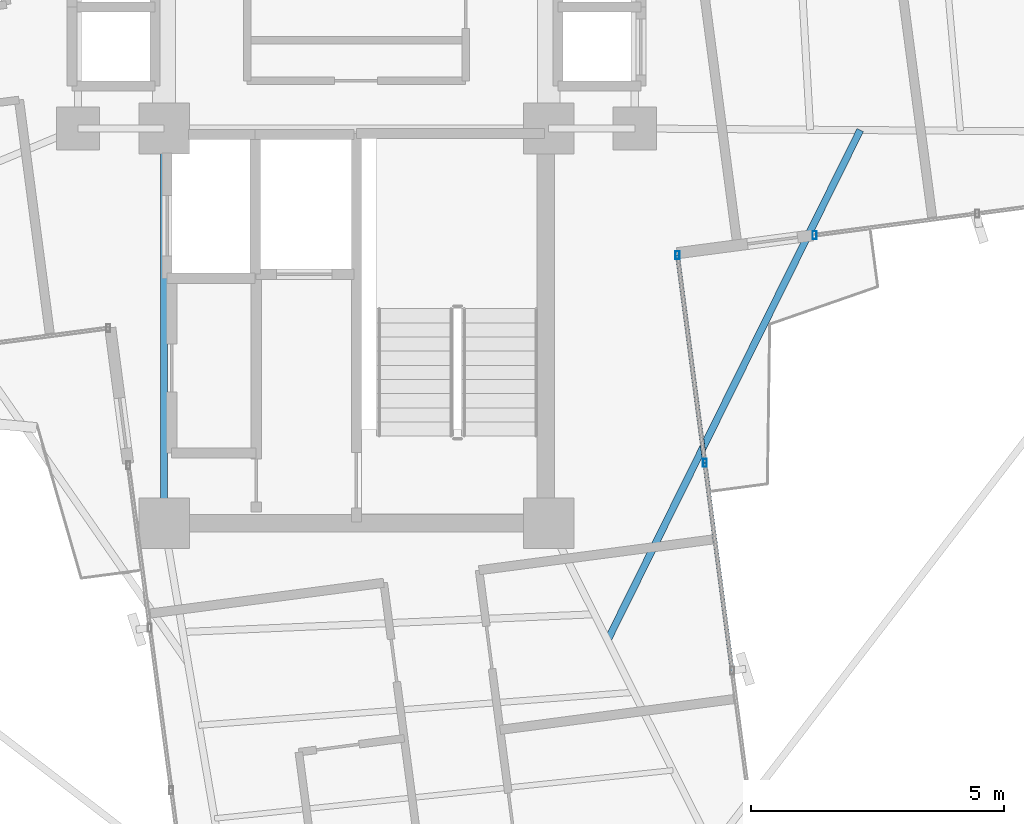
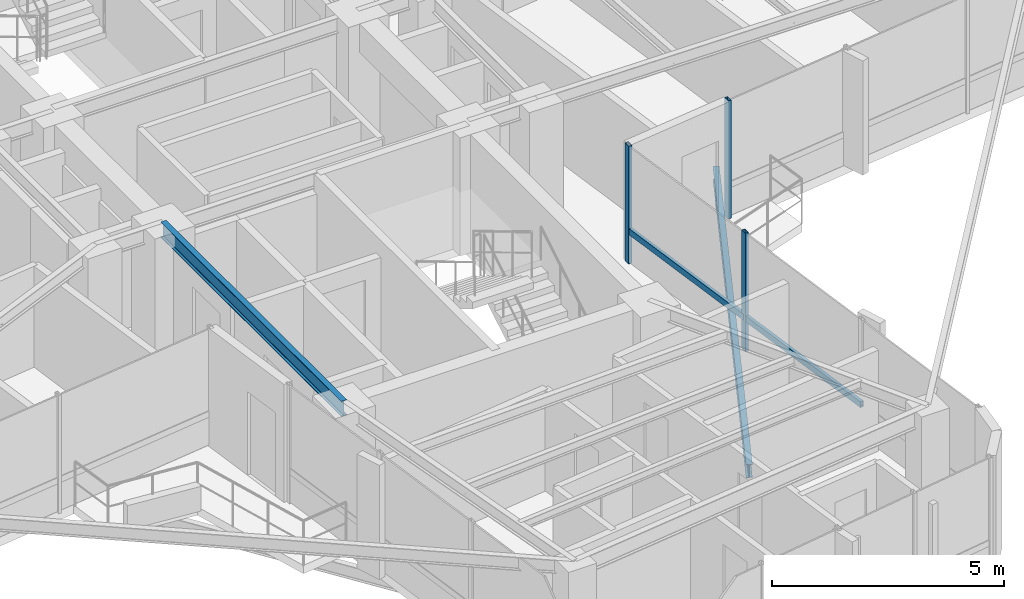
# One storey, part 5 of 21: 5 members, 2 beams, 2 elements without a shape of their own.
"""IFC4 building model written with IfcOpenShell, lengths in metres."""

from ifc_helpers import new_model, si_unit, direction, frame, origin, origin_2d, place, context, subcontext, project, spatial, hollow_rectangle, i_section, extrude, source, transform, mapped, material, material_profile, profile_set, type_object, element, aggregate, save


model = new_model("IFC4")

# Units and contexts
model_context = context("Model", 3, precision=1e-05, world=origin(), true_north=direction((0.0, 1.0)))
body_context = subcontext(model_context, "Body", "Model", "MODEL_VIEW")
ifc_project = project(units=[si_unit("LENGTHUNIT", "METRE"), si_unit("AREAUNIT", "SQUARE_METRE"), si_unit("VOLUMEUNIT", "CUBIC_METRE"), si_unit("PLANEANGLEUNIT", "RADIAN"), si_unit("MASSUNIT", "GRAM", prefix="KILO")], contexts=[model_context])

# Site, building, storey
site_placement = place(None, origin())
site = spatial("IfcSite", under=ifc_project, at=site_placement, CompositionType="ELEMENT")
building_placement = place(site_placement, origin())
building = spatial("IfcBuilding", under=site, at=building_placement, Name="Sahyath Konkavel Grand Hotel", CompositionType="ELEMENT")
storey_placement = place(building_placement, frame((0.0, 0.0, 216.550048828125)))
storey = spatial("IfcBuildingStorey", under=building, at=storey_placement, Name="L60", CompositionType="ELEMENT", Elevation=216.550048828125)

# Beam
ifc_material_1 = material(Name="Steel E350", Category="steel")
ifc_material_profile_1 = material_profile(ifc_material_1, i_section(OverallWidth=0.139892578125, OverallDepth=0.39990234375, WebThickness=0.0087890625, FlangeThickness=0.01611328125, FilletRadius=0.013916015625, at=origin_2d()), Name="ISMB 400")
ifc_profile_set_1 = profile_set([ifc_material_profile_1], Name="Steel E350")
beam_type_1 = type_object("IfcBeamType", Name="BM-ISMB400", PredefinedType="BEAM", material=ifc_profile_set_1)
shared_shape_1 = source(origin(), body_context, "Body", "SweptSolid", [
    extrude(i_section(OverallWidth=0.139892578125, OverallDepth=0.39990234375, WebThickness=0.0087890625, FlangeThickness=0.01611328125, FilletRadius=0.013916015625, at=origin_2d()), origin(), (0.0, 0.0, 1.0), 7.800048828125),
])
beam_1_placement = place(storey_placement, frame((-3.800048828125, -10.199951171875, 2.909912109375), z_axis=(0.0, 1.0, 0.0), x_axis=(-1.0, 0.0, 0.0)))
element("IfcBeam", 1, at=beam_1_placement, inside=storey, type_object=beam_type_1, Name="str:bm:L60:SC-W", PredefinedType="BEAM", context=body_context, shape_type="MappedRepresentation", body=[
    mapped(shared_shape_1, transform((0.0, 0.0, 0.0), scale=1.0)),
])

# Curtain wall, member
ifc_material_2 = material(Name="Anodised Bronze Aluminium & Low-E Glazing", Category="aluminium")
curtain_wall_type = type_object("IfcCurtainWallType", Name="CW-ZONE4", PredefinedType="NOTDEFINED", material=ifc_material_2)
curtain_wall_1_placement = place(storey_placement, origin())
curtain_wall_1 = element("IfcCurtainWall", 2, at=curtain_wall_1_placement, inside=storey, type_object=curtain_wall_type, Name="L60 Unitised Curtain Wall F0", PredefinedType="NOTDEFINED")
ifc_material_3 = material(Name="Anodised Bronze Aluminium", Category="aluminium")
ifc_material_profile_2 = material_profile(ifc_material_3, hollow_rectangle(XDim=0.080078125, YDim=0.159912109375, WallThickness=0.006103515625, at=origin_2d()), Name="RHS 160x80x6")
ifc_profile_set_2 = profile_set([ifc_material_profile_2], Name="Anodised Bronze Aluminium")
member_type_1 = type_object("IfcMemberType", Name="CW-MUL-160", PredefinedType="MULLION", material=ifc_profile_set_2)
shared_shape_2 = source(origin(), body_context, "Body", "SweptSolid", [
    extrude(hollow_rectangle(XDim=0.080078125, YDim=0.159912109375, WallThickness=0.006103515625, at=origin_2d()), origin(), (0.0, 0.0, 1.0), 3.10986328125),
])
member_1_placement = place(storey_placement, frame((9.0556640625, -4.506591796875, 0.0), z_axis=(0.0, 0.0, 1.0), x_axis=(1.0, 0.0, 0.0)))
member_1 = element("IfcMember", 3, at=member_1_placement, type_object=member_type_1, Name="L60 Curtain Wall Mullion F0-0", PredefinedType="MULLION", context=body_context, shape_type="MappedRepresentation", body=[
    mapped(shared_shape_2, transform((0.0, 0.0, 0.0), scale=1.0)),
])
aggregate(curtain_wall_1, [member_1])

# Curtain wall, members
curtain_wall_2_placement = place(storey_placement, origin())
curtain_wall_2 = element("IfcCurtainWall", 4, at=curtain_wall_2_placement, inside=storey, type_object=curtain_wall_type, Name="L60 Unitised Curtain Wall F31", PredefinedType="NOTDEFINED")
member_2_placement = place(storey_placement, frame((6.884765625, -9.008544921875, 0.0), z_axis=(0.0, 0.0, 1.0), x_axis=(1.0, 0.0, 0.0)))
member_2 = element("IfcMember", 5, at=member_2_placement, type_object=member_type_1, Name="L60 Curtain Wall Mullion F31-2", PredefinedType="MULLION", context=body_context, shape_type="MappedRepresentation", body=[
    mapped(shared_shape_2, transform((0.0, 0.0, 0.0), scale=1.0)),
])
member_3_placement = place(storey_placement, frame((6.34423828125, -4.90380859375, 0.0), z_axis=(0.0, 0.0, 1.0), x_axis=(1.0, 0.0, 0.0)))
member_3 = element("IfcMember", 6, at=member_3_placement, type_object=member_type_1, Name="L60 Curtain Wall Mullion F31-3", PredefinedType="MULLION", context=body_context, shape_type="MappedRepresentation", body=[
    mapped(shared_shape_2, transform((0.0, 0.0, 0.0), scale=1.0)),
])
ifc_material_profile_3 = material_profile(ifc_material_3, hollow_rectangle(XDim=0.080078125, YDim=0.159912109375, WallThickness=0.006103515625, at=origin_2d()), Name="RHS 160x80x6")
ifc_profile_set_3 = profile_set([ifc_material_profile_3], Name="Anodised Bronze Aluminium")
member_type_2 = type_object("IfcMemberType", Name="CW-TRN-160", PredefinedType="USERDEFINED", material=ifc_profile_set_3)
shared_shape_3 = source(origin(), body_context, "Body", "SweptSolid", [
    extrude(hollow_rectangle(XDim=0.080078125, YDim=0.159912109375, WallThickness=0.006103515625, at=origin_2d()), origin(), (0.0, 0.0, 1.0), 4.139892578125),
])
member_4_placement = place(storey_placement, frame((7.425048828125, -13.113037109375, 0.849853515625), z_axis=(-0.130506379383, 0.991447469582, 0.0), x_axis=(-0.991447469582, -0.130506379383, 0.0)))
member_4 = element("IfcMember", 7, at=member_4_placement, type_object=member_type_2, Name="L60 Curtain Wall Transom F31-1-spandrel", ObjectType="TRANSOM", PredefinedType="USERDEFINED", context=body_context, shape_type="MappedRepresentation", body=[
    mapped(shared_shape_3, transform((0.0, 0.0, 0.0), scale=1.0)),
])
shared_shape_4 = source(origin(), body_context, "Body", "SweptSolid", [
    extrude(hollow_rectangle(XDim=0.080078125, YDim=0.159912109375, WallThickness=0.006103515625, at=origin_2d()), origin(), (0.0, 0.0, 1.0), 4.14013671875),
])
member_5_placement = place(storey_placement, frame((6.884765625, -9.008544921875, 0.849853515625), z_axis=(-0.130556713596, 0.99144084268, 0.0), x_axis=(-0.99144084268, -0.130556713596, 0.0)))
member_5 = element("IfcMember", 8, at=member_5_placement, type_object=member_type_2, Name="L60 Curtain Wall Transom F31-2-spandrel", ObjectType="TRANSOM", PredefinedType="USERDEFINED", context=body_context, shape_type="MappedRepresentation", body=[
    mapped(shared_shape_4, transform((0.0, 0.0, 0.0), scale=1.0)),
])
aggregate(curtain_wall_2, [member_2, member_3, member_4, member_5])

# Beam
ifc_material_profile_4 = material_profile(ifc_material_1, i_section(OverallWidth=0.139892578125, OverallDepth=0.35009765625, WebThickness=0.008056640625, FlangeThickness=0.01416015625, FilletRadius=0.013916015625, at=origin_2d()), Name="ISMB 350")
ifc_profile_set_4 = profile_set([ifc_material_profile_4], Name="Steel E350")
beam_type_2 = type_object("IfcBeamType", Name="BM-BALC-CANT", PredefinedType="BEAM", material=ifc_profile_set_4)
shared_shape_5 = source(origin(), body_context, "Body", "SweptSolid", [
    extrude(i_section(OverallWidth=0.139892578125, OverallDepth=0.35009765625, WebThickness=0.008056640625, FlangeThickness=0.01416015625, FilletRadius=0.013916015625, at=origin_2d()), origin(), (0.0, 0.0, 1.0), 11.25),
])
beam_2_placement = place(storey_placement, frame((4.962890625, -12.512939453125, -0.4150390625), z_axis=(0.443833696027, 0.896109173188, 0.0), x_axis=(-0.896109173188, 0.443833696027, 0.0)))
element("IfcBeam", 9, at=beam_2_placement, inside=storey, type_object=beam_type_2, Name="L60 Balcony Cantilever Support Beam SE", PredefinedType="BEAM", context=body_context, shape_type="MappedRepresentation", body=[
    mapped(shared_shape_5, transform((0.0, 0.0, 0.0), scale=1.0)),
])

save(model, "model.ifc")
